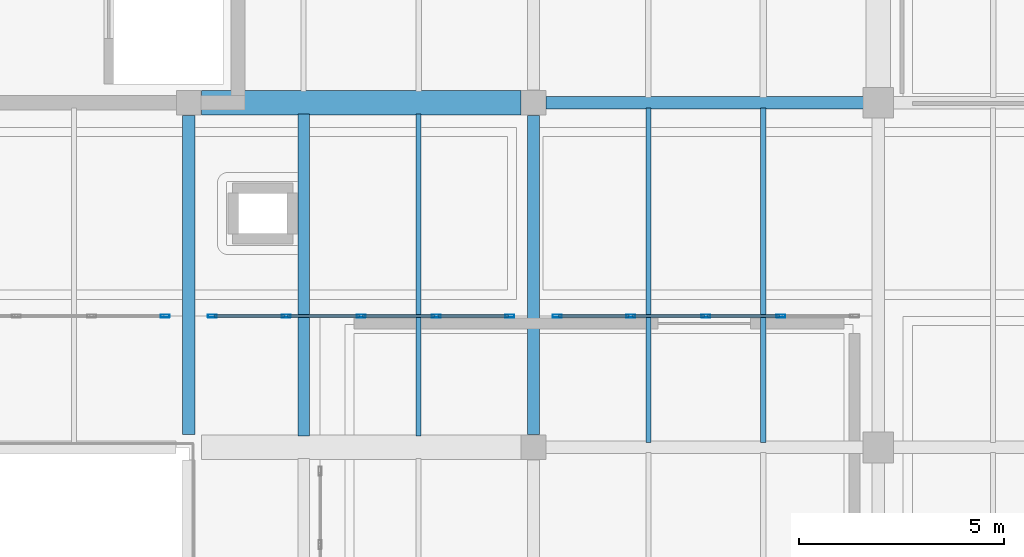
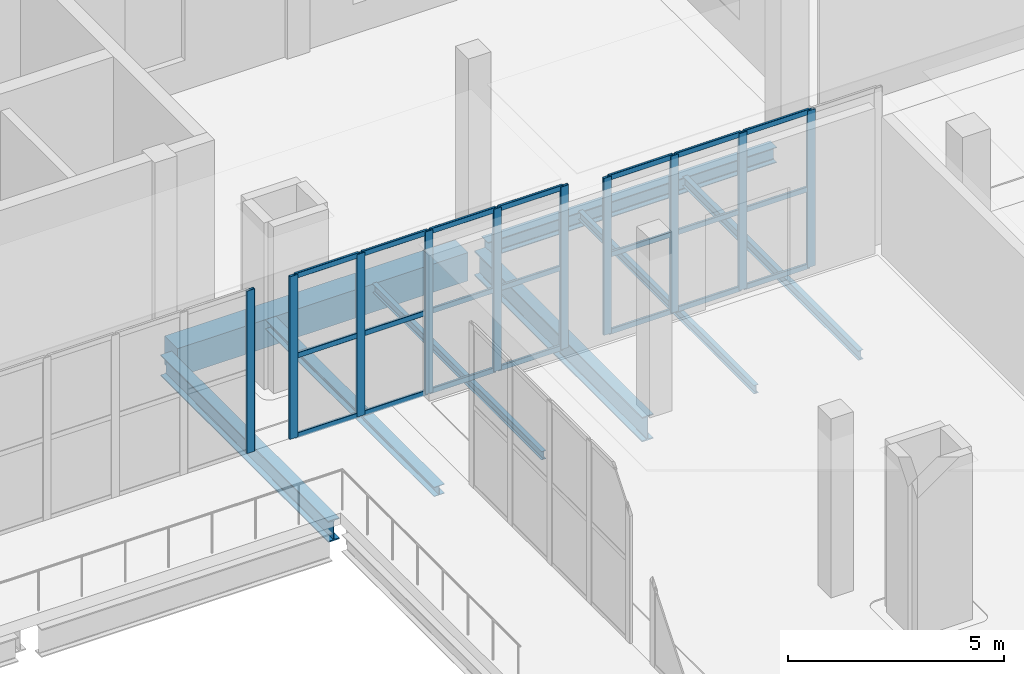
# One storey, part 34 of 77: 31 members, 8 beams, 3 elements without a shape of their own.
"""IFC4 building model written with IfcOpenShell, lengths in metres."""

from ifc_helpers import new_model, si_unit, direction, frame, origin, origin_2d, place, context, subcontext, project, spatial, rectangle, hollow_rectangle, i_section, extrude, material, layer, layer_set, material_profile, profile_set, type_object, element, aggregate, save


model = new_model("IFC4")

# Units and contexts
model_context = context("Model", 3, precision=1e-05, world=origin(), true_north=direction((0.0, 1.0)))
body_context = subcontext(model_context, "Body", "Model", "MODEL_VIEW")
ifc_project = project(units=[si_unit("LENGTHUNIT", "METRE"), si_unit("AREAUNIT", "SQUARE_METRE"), si_unit("VOLUMEUNIT", "CUBIC_METRE"), si_unit("PLANEANGLEUNIT", "RADIAN"), si_unit("MASSUNIT", "GRAM", prefix="KILO")], contexts=[model_context])

# Site, building, storey
site_placement = place(None, origin())
site = spatial("IfcSite", under=ifc_project, at=site_placement, CompositionType="ELEMENT")
building_placement = place(site_placement, origin())
building = spatial("IfcBuilding", under=site, at=building_placement, Name="Zulmaris Art Gallery", CompositionType="ELEMENT")
storey_placement = place(building_placement, frame((0.0, 0.0, 15.60009765625)))
storey = spatial("IfcBuildingStorey", under=building, at=storey_placement, Name="L03", CompositionType="ELEMENT", Elevation=15.60009765625)

# Beams
ifc_material_1 = material(Name="Steel S355J2", Category="steel")
ifc_material_profile_1 = material_profile(ifc_material_1, i_section(OverallWidth=0.300048828125, OverallDepth=0.43994140625, WebThickness=0.011474609375, FlangeThickness=0.02099609375, FilletRadius=0.027099609375, at=origin_2d()), Name="HEA 450")
ifc_profile_set_1 = profile_set([ifc_material_profile_1], Name="Steel S355J2")
beam_type_1 = type_object("IfcBeamType", Name="BEAM-BM10", PredefinedType="BEAM", material=ifc_profile_set_1)
beam_1_placement = place(storey_placement, frame((133.510009765625, 67.199951171875, -0.6201171875), z_axis=(1.0, 0.0, 0.0), x_axis=(0.0, 1.0, 0.0)))
element("IfcBeam", 1, at=beam_1_placement, inside=storey, type_object=beam_type_1, Name="L03 X-girder (133.2..141.6, y=67.2)", PredefinedType="BEAM", context=body_context, shape_type="SweptSolid", body=[
    extrude(i_section(OverallWidth=0.300048828125, OverallDepth=0.43994140625, WebThickness=0.011474609375, FlangeThickness=0.02099609375, FilletRadius=0.027099609375, at=origin_2d()), origin(), (0.0, 0.0, 1.0), 7.72998046875),
])
ifc_material_profile_2 = material_profile(ifc_material_1, i_section(OverallWidth=0.300048828125, OverallDepth=0.60009765625, WebThickness=0.015380859375, FlangeThickness=0.030029296875, FilletRadius=0.027099609375, at=origin_2d()), Name="HEB 600")
ifc_profile_set_2 = profile_set([ifc_material_profile_2], Name="Steel S355J2")
beam_type_2 = type_object("IfcBeamType", Name="BEAM-BM15", PredefinedType="BEAM", material=ifc_profile_set_2)
beam_2_placement = place(storey_placement, frame((124.800048828125, 59.110107421875, -0.670166015625), z_axis=(0.0, 1.0, 0.0), x_axis=(-1.0, 0.0, 0.0)))
element("IfcBeam", 2, at=beam_2_placement, inside=storey, type_object=beam_type_2, Name="L03 Y-girder (x=124.8, 58.8..67.2)", PredefinedType="BEAM", context=body_context, shape_type="SweptSolid", body=[
    extrude(i_section(OverallWidth=0.300048828125, OverallDepth=0.60009765625, WebThickness=0.015380859375, FlangeThickness=0.030029296875, FilletRadius=0.027099609375, at=origin_2d()), origin(), (0.0, 0.0, 1.0), 7.77978515625),
])
ifc_material_profile_3 = material_profile(ifc_material_1, i_section(OverallWidth=0.300048828125, OverallDepth=0.699951171875, WebThickness=0.01708984375, FlangeThickness=0.031982421875, FilletRadius=0.027099609375, at=origin_2d()), Name="HEB 700")
ifc_profile_set_3 = profile_set([ifc_material_profile_3], Name="Steel S355J2")
beam_type_3 = type_object("IfcBeamType", Name="BEAM-BM16", PredefinedType="BEAM", material=ifc_profile_set_3)
beam_3_placement = place(storey_placement, frame((133.199951171875, 59.110107421875, -0.72021484375), z_axis=(0.0, 1.0, 0.0), x_axis=(-1.0, 0.0, 0.0)))
element("IfcBeam", 3, at=beam_3_placement, inside=storey, type_object=beam_type_3, Name="L03 Y-girder (x=133.2, 58.8..67.2)", PredefinedType="BEAM", context=body_context, shape_type="SweptSolid", body=[
    extrude(i_section(OverallWidth=0.300048828125, OverallDepth=0.699951171875, WebThickness=0.01708984375, FlangeThickness=0.031982421875, FilletRadius=0.027099609375, at=origin_2d()), origin(), (0.0, 0.0, 1.0), 7.77978515625),
])
ifc_material_2 = material(Name="Concrete C40/50", Category="concrete")
ifc_material_profile_4 = material_profile(ifc_material_2, rectangle(XDim=0.60009765625, YDim=0.800048828125, at=origin_2d()), Name="RC 600x800")
ifc_profile_set_4 = profile_set([ifc_material_profile_4], Name="Concrete C40/50")
beam_type_4 = type_object("IfcBeamType", Name="BEAM-BM27", PredefinedType="BEAM", material=ifc_profile_set_4)
beam_4_placement = place(storey_placement, frame((125.110107421875, 67.199951171875, -0.77001953125), z_axis=(1.0, 0.0, 0.0), x_axis=(0.0, 1.0, 0.0)))
element("IfcBeam", 4, at=beam_4_placement, inside=storey, type_object=beam_type_4, Name="L03 X-girder (124.8..133.2, y=67.2)", PredefinedType="BEAM", context=body_context, shape_type="SweptSolid", body=[
    extrude(rectangle(XDim=0.60009765625, YDim=0.800048828125, at=origin_2d()), origin(), (0.0, 0.0, 1.0), 7.77978515625),
])
ifc_material_profile_5 = material_profile(ifc_material_1, i_section(OverallWidth=0.1201171875, OverallDepth=0.239990234375, WebThickness=0.006103515625, FlangeThickness=0.009765625, FilletRadius=0.014892578125, at=origin_2d()), Name="IPE 240")
ifc_profile_set_5 = profile_set([ifc_material_profile_5], Name="Steel S355J2")
beam_type_5 = type_object("IfcBeamType", Name="BEAM-JS01", PredefinedType="JOIST", material=ifc_profile_set_5)
beam_5_placement = place(storey_placement, frame((130.39990234375, 59.074951171875, -0.489990234375), z_axis=(0.0, 1.0, 0.0), x_axis=(-1.0, 0.0, 0.0)))
element("IfcBeam", 5, at=beam_5_placement, inside=storey, type_object=beam_type_5, Name="L03 secondary joist at x=130.4", PredefinedType="JOIST", context=body_context, shape_type="SweptSolid", body=[
    extrude(i_section(OverallWidth=0.1201171875, OverallDepth=0.239990234375, WebThickness=0.006103515625, FlangeThickness=0.009765625, FilletRadius=0.014892578125, at=origin_2d()), origin(), (0.0, 0.0, 1.0), 7.85009765625),
])
beam_6_placement = place(storey_placement, frame((136.0, 58.925048828125, -0.489990234375), z_axis=(0.0, 1.0, 0.0), x_axis=(-1.0, 0.0, 0.0)))
element("IfcBeam", 6, at=beam_6_placement, inside=storey, type_object=beam_type_5, Name="L03 secondary joist at x=136.0", PredefinedType="JOIST", context=body_context, shape_type="SweptSolid", body=[
    extrude(i_section(OverallWidth=0.1201171875, OverallDepth=0.239990234375, WebThickness=0.006103515625, FlangeThickness=0.009765625, FilletRadius=0.014892578125, at=origin_2d()), origin(), (0.0, 0.0, 1.0), 8.14990234375),
])
ifc_material_profile_6 = material_profile(ifc_material_1, i_section(OverallWidth=0.135009765625, OverallDepth=0.27001953125, WebThickness=0.006591796875, FlangeThickness=0.01025390625, FilletRadius=0.014892578125, at=origin_2d()), Name="IPE 270")
ifc_profile_set_6 = profile_set([ifc_material_profile_6], Name="Steel S355J2")
beam_type_6 = type_object("IfcBeamType", Name="BEAM-JS02", PredefinedType="JOIST", material=ifc_profile_set_6)
beam_7_placement = place(storey_placement, frame((138.800048828125, 58.925048828125, -0.505126953125), z_axis=(0.0, 1.0, 0.0), x_axis=(-1.0, 0.0, 0.0)))
element("IfcBeam", 7, at=beam_7_placement, inside=storey, type_object=beam_type_6, Name="L03 secondary joist at x=138.8", PredefinedType="JOIST", context=body_context, shape_type="SweptSolid", body=[
    extrude(i_section(OverallWidth=0.135009765625, OverallDepth=0.27001953125, WebThickness=0.006591796875, FlangeThickness=0.01025390625, FilletRadius=0.014892578125, at=origin_2d()), origin(), (0.0, 0.0, 1.0), 8.14990234375),
])
ifc_material_profile_7 = material_profile(ifc_material_1, i_section(OverallWidth=0.280029296875, OverallDepth=0.27001953125, WebThickness=0.008056640625, FlangeThickness=0.012939453125, FilletRadius=0.02392578125, at=origin_2d()), Name="HEA 280")
ifc_profile_set_7 = profile_set([ifc_material_profile_7], Name="Steel S355J2")
beam_type_7 = type_object("IfcBeamType", Name="BEAM-JS04", PredefinedType="JOIST", material=ifc_profile_set_7)
beam_8_placement = place(storey_placement, frame((127.60009765625, 59.074951171875, -0.505126953125), z_axis=(0.0, 1.0, 0.0), x_axis=(-1.0, 0.0, 0.0)))
element("IfcBeam", 8, at=beam_8_placement, inside=storey, type_object=beam_type_7, Name="L03 secondary joist at x=127.6", PredefinedType="JOIST", context=body_context, shape_type="SweptSolid", body=[
    extrude(i_section(OverallWidth=0.280029296875, OverallDepth=0.27001953125, WebThickness=0.008056640625, FlangeThickness=0.012939453125, FilletRadius=0.02392578125, at=origin_2d()), origin(), (0.0, 0.0, 1.0), 7.85009765625),
])

# Curtain wall, member
ifc_material_3 = material(Name="Unitised Low-E Gallery Curtain Wall", Category="aluminium")
ifc_layer = layer(ifc_material_3, 0.179931640625)
ifc_layer_set = layer_set([ifc_layer], Name="Unitised Low-E Gallery Curtain Wall")
curtain_wall_type = type_object("IfcCurtainWallType", Name="CW-CW01", PredefinedType="NOTDEFINED", material=ifc_layer_set)
curtain_wall_1_placement = place(storey_placement, origin())
curtain_wall_1 = element("IfcCurtainWall", 9, at=curtain_wall_1_placement, inside=storey, type_object=curtain_wall_type, Name="L03 curtain wall 116", PredefinedType="NOTDEFINED")
ifc_material_4 = material(Name="Anodised Bronze Aluminium", Category="aluminium")
ifc_material_profile_8 = material_profile(ifc_material_4, hollow_rectangle(XDim=0.074951171875, YDim=0.219970703125, WallThickness=0.0048828125, InnerFilletRadius=0.007568359375, OuterFilletRadius=0.012451171875, at=origin_2d()), Name="ALU 75x220x5")
ifc_profile_set_8 = profile_set([ifc_material_profile_8], Name="Anodised Bronze Aluminium")
member_type_1 = type_object("IfcMemberType", Name="CWMUL-02", PredefinedType="MULLION", material=ifc_profile_set_8)
member_1_placement = place(storey_placement, frame((124.222412109375, 62.0, 0.0), z_axis=(0.0, 0.0, 1.0), x_axis=(0.0, 1.0, 0.0)))
member_1 = element("IfcMember", 10, at=member_1_placement, type_object=member_type_1, Name="CW01 mullion 5", PredefinedType="MULLION", context=body_context, shape_type="SweptSolid", body=[
    extrude(hollow_rectangle(XDim=0.074951171875, YDim=0.219970703125, WallThickness=0.0048828125, InnerFilletRadius=0.007568359375, OuterFilletRadius=0.012451171875, at=origin_2d()), origin(), (0.0, 0.0, 1.0), 4.599853515625),
])
aggregate(curtain_wall_1, [member_1])

# Curtain wall, members
curtain_wall_2_placement = place(storey_placement, origin())
curtain_wall_2 = element("IfcCurtainWall", 11, at=curtain_wall_2_placement, inside=storey, type_object=curtain_wall_type, Name="L03 curtain wall 117", PredefinedType="NOTDEFINED")
member_2_placement = place(storey_placement, frame((125.37744140625, 62.0, 0.0), z_axis=(0.0, 0.0, 1.0), x_axis=(0.0, 1.0, 0.0)))
member_2 = element("IfcMember", 12, at=member_2_placement, type_object=member_type_1, Name="CW01 mullion 1", PredefinedType="MULLION", context=body_context, shape_type="SweptSolid", body=[
    extrude(hollow_rectangle(XDim=0.074951171875, YDim=0.219970703125, WallThickness=0.0048828125, InnerFilletRadius=0.007568359375, OuterFilletRadius=0.012451171875, at=origin_2d()), origin(), (0.0, 0.0, 1.0), 4.599853515625),
])
member_3_placement = place(storey_placement, frame((127.169921875, 62.0, 0.0), z_axis=(0.0, 0.0, 1.0), x_axis=(0.0, 1.0, 0.0)))
member_3 = element("IfcMember", 13, at=member_3_placement, type_object=member_type_1, Name="CW01 mullion 2", PredefinedType="MULLION", context=body_context, shape_type="SweptSolid", body=[
    extrude(hollow_rectangle(XDim=0.074951171875, YDim=0.219970703125, WallThickness=0.0048828125, InnerFilletRadius=0.007568359375, OuterFilletRadius=0.012451171875, at=origin_2d()), origin(), (0.0, 0.0, 1.0), 4.599853515625),
])
member_4_placement = place(storey_placement, frame((129.0, 62.0, 0.0), z_axis=(0.0, 0.0, 1.0), x_axis=(0.0, 1.0, 0.0)))
member_4 = element("IfcMember", 14, at=member_4_placement, type_object=member_type_1, Name="CW01 mullion 3", PredefinedType="MULLION", context=body_context, shape_type="SweptSolid", body=[
    extrude(hollow_rectangle(XDim=0.074951171875, YDim=0.219970703125, WallThickness=0.0048828125, InnerFilletRadius=0.007568359375, OuterFilletRadius=0.012451171875, at=origin_2d()), origin(), (0.0, 0.0, 1.0), 4.599853515625),
])
member_5_placement = place(storey_placement, frame((130.830078125, 62.0, 0.0), z_axis=(0.0, 0.0, 1.0), x_axis=(0.0, 1.0, 0.0)))
member_5 = element("IfcMember", 15, at=member_5_placement, type_object=member_type_1, Name="CW01 mullion 4", PredefinedType="MULLION", context=body_context, shape_type="SweptSolid", body=[
    extrude(hollow_rectangle(XDim=0.074951171875, YDim=0.219970703125, WallThickness=0.0048828125, InnerFilletRadius=0.007568359375, OuterFilletRadius=0.012451171875, at=origin_2d()), origin(), (0.0, 0.0, 1.0), 4.599853515625),
])
member_6_placement = place(storey_placement, frame((132.62255859375, 62.0, 0.0), z_axis=(0.0, 0.0, 1.0), x_axis=(0.0, 1.0, 0.0)))
member_6 = element("IfcMember", 16, at=member_6_placement, type_object=member_type_1, Name="CW01 mullion 5", PredefinedType="MULLION", context=body_context, shape_type="SweptSolid", body=[
    extrude(hollow_rectangle(XDim=0.074951171875, YDim=0.219970703125, WallThickness=0.0048828125, InnerFilletRadius=0.007568359375, OuterFilletRadius=0.012451171875, at=origin_2d()), origin(), (0.0, 0.0, 1.0), 4.599853515625),
])

curtain_wall_3_placement = place(storey_placement, origin())
curtain_wall_3 = element("IfcCurtainWall", 17, at=curtain_wall_3_placement, inside=storey, type_object=curtain_wall_type, Name="L03 curtain wall 118", PredefinedType="NOTDEFINED")
member_7_placement = place(storey_placement, frame((133.777587890625, 62.0, 0.0), z_axis=(0.0, 0.0, 1.0), x_axis=(0.0, 1.0, 0.0)))
member_7 = element("IfcMember", 18, at=member_7_placement, type_object=member_type_1, Name="CW01 mullion 1", PredefinedType="MULLION", context=body_context, shape_type="SweptSolid", body=[
    extrude(hollow_rectangle(XDim=0.074951171875, YDim=0.219970703125, WallThickness=0.0048828125, InnerFilletRadius=0.007568359375, OuterFilletRadius=0.012451171875, at=origin_2d()), origin(), (0.0, 0.0, 1.0), 4.43994140625),
])
member_8_placement = place(storey_placement, frame((135.570068359375, 62.0, 0.0), z_axis=(0.0, 0.0, 1.0), x_axis=(0.0, 1.0, 0.0)))
member_8 = element("IfcMember", 19, at=member_8_placement, type_object=member_type_1, Name="CW01 mullion 2", PredefinedType="MULLION", context=body_context, shape_type="SweptSolid", body=[
    extrude(hollow_rectangle(XDim=0.074951171875, YDim=0.219970703125, WallThickness=0.0048828125, InnerFilletRadius=0.007568359375, OuterFilletRadius=0.012451171875, at=origin_2d()), origin(), (0.0, 0.0, 1.0), 4.43994140625),
])
member_9_placement = place(storey_placement, frame((137.39990234375, 62.0, 0.0), z_axis=(0.0, 0.0, 1.0), x_axis=(0.0, 1.0, 0.0)))
member_9 = element("IfcMember", 20, at=member_9_placement, type_object=member_type_1, Name="CW01 mullion 3", PredefinedType="MULLION", context=body_context, shape_type="SweptSolid", body=[
    extrude(hollow_rectangle(XDim=0.074951171875, YDim=0.219970703125, WallThickness=0.0048828125, InnerFilletRadius=0.007568359375, OuterFilletRadius=0.012451171875, at=origin_2d()), origin(), (0.0, 0.0, 1.0), 4.43994140625),
])
member_10_placement = place(storey_placement, frame((139.22998046875, 62.0, 0.0), z_axis=(0.0, 0.0, 1.0), x_axis=(0.0, 1.0, 0.0)))
member_10 = element("IfcMember", 21, at=member_10_placement, type_object=member_type_1, Name="CW01 mullion 4", PredefinedType="MULLION", context=body_context, shape_type="SweptSolid", body=[
    extrude(hollow_rectangle(XDim=0.074951171875, YDim=0.219970703125, WallThickness=0.0048828125, InnerFilletRadius=0.007568359375, OuterFilletRadius=0.012451171875, at=origin_2d()), origin(), (0.0, 0.0, 1.0), 4.43994140625),
])

# Member
ifc_material_profile_9 = material_profile(ifc_material_4, hollow_rectangle(XDim=0.06494140625, YDim=0.14990234375, WallThickness=0.00390625, InnerFilletRadius=0.006103515625, OuterFilletRadius=0.010009765625, at=origin_2d()), Name="ALU 65x150x4")
ifc_profile_set_9 = profile_set([ifc_material_profile_9], Name="Anodised Bronze Aluminium")
member_type_2 = type_object("IfcMemberType", Name="CWTRN-01", PredefinedType="USERDEFINED", material=ifc_profile_set_9)
member_11_placement = place(storey_placement, frame((125.4150390625, 62.0, 0.037353515625), z_axis=(1.0, 0.0, 0.0), x_axis=(0.0, 1.0, 0.0)))
member_11 = element("IfcMember", 22, at=member_11_placement, type_object=member_type_2, Name="CW01 transom 1.1", ObjectType="TRANSOM", PredefinedType="USERDEFINED", context=body_context, shape_type="SweptSolid", body=[
    extrude(hollow_rectangle(XDim=0.06494140625, YDim=0.14990234375, WallThickness=0.00390625, InnerFilletRadius=0.006103515625, OuterFilletRadius=0.010009765625, at=origin_2d()), origin(), (0.0, 0.0, 1.0), 1.717529296875),
])

member_12_placement = place(storey_placement, frame((125.4150390625, 62.0, 2.2998046875), z_axis=(1.0, 0.0, 0.0), x_axis=(0.0, 1.0, 0.0)))
member_12 = element("IfcMember", 23, at=member_12_placement, type_object=member_type_2, Name="CW01 transom 1.2", ObjectType="TRANSOM", PredefinedType="USERDEFINED", context=body_context, shape_type="SweptSolid", body=[
    extrude(hollow_rectangle(XDim=0.06494140625, YDim=0.14990234375, WallThickness=0.00390625, InnerFilletRadius=0.006103515625, OuterFilletRadius=0.010009765625, at=origin_2d()), origin(), (0.0, 0.0, 1.0), 1.717529296875),
])

member_13_placement = place(storey_placement, frame((125.4150390625, 62.0, 4.5625), z_axis=(1.0, 0.0, 0.0), x_axis=(0.0, 1.0, 0.0)))
member_13 = element("IfcMember", 24, at=member_13_placement, type_object=member_type_2, Name="CW01 transom 1.3", ObjectType="TRANSOM", PredefinedType="USERDEFINED", context=body_context, shape_type="SweptSolid", body=[
    extrude(hollow_rectangle(XDim=0.06494140625, YDim=0.14990234375, WallThickness=0.00390625, InnerFilletRadius=0.006103515625, OuterFilletRadius=0.010009765625, at=origin_2d()), origin(), (0.0, 0.0, 1.0), 1.717529296875),
])

member_14_placement = place(storey_placement, frame((127.20751953125, 62.0, 0.037353515625), z_axis=(1.0, 0.0, 0.0), x_axis=(0.0, 1.0, 0.0)))
member_14 = element("IfcMember", 25, at=member_14_placement, type_object=member_type_2, Name="CW01 transom 2.1", ObjectType="TRANSOM", PredefinedType="USERDEFINED", context=body_context, shape_type="SweptSolid", body=[
    extrude(hollow_rectangle(XDim=0.06494140625, YDim=0.14990234375, WallThickness=0.00390625, InnerFilletRadius=0.006103515625, OuterFilletRadius=0.010009765625, at=origin_2d()), origin(), (0.0, 0.0, 1.0), 1.7548828125),
])

member_15_placement = place(storey_placement, frame((127.20751953125, 62.0, 2.2998046875), z_axis=(1.0, 0.0, 0.0), x_axis=(0.0, 1.0, 0.0)))
member_15 = element("IfcMember", 26, at=member_15_placement, type_object=member_type_2, Name="CW01 transom 2.2", ObjectType="TRANSOM", PredefinedType="USERDEFINED", context=body_context, shape_type="SweptSolid", body=[
    extrude(hollow_rectangle(XDim=0.06494140625, YDim=0.14990234375, WallThickness=0.00390625, InnerFilletRadius=0.006103515625, OuterFilletRadius=0.010009765625, at=origin_2d()), origin(), (0.0, 0.0, 1.0), 1.7548828125),
])

member_16_placement = place(storey_placement, frame((127.20751953125, 62.0, 4.5625), z_axis=(1.0, 0.0, 0.0), x_axis=(0.0, 1.0, 0.0)))
member_16 = element("IfcMember", 27, at=member_16_placement, type_object=member_type_2, Name="CW01 transom 2.3", ObjectType="TRANSOM", PredefinedType="USERDEFINED", context=body_context, shape_type="SweptSolid", body=[
    extrude(hollow_rectangle(XDim=0.06494140625, YDim=0.14990234375, WallThickness=0.00390625, InnerFilletRadius=0.006103515625, OuterFilletRadius=0.010009765625, at=origin_2d()), origin(), (0.0, 0.0, 1.0), 1.7548828125),
])

member_17_placement = place(storey_placement, frame((129.03759765625, 62.0, 0.037353515625), z_axis=(1.0, 0.0, 0.0), x_axis=(0.0, 1.0, 0.0)))
member_17 = element("IfcMember", 28, at=member_17_placement, type_object=member_type_2, Name="CW01 transom 3.1", ObjectType="TRANSOM", PredefinedType="USERDEFINED", context=body_context, shape_type="SweptSolid", body=[
    extrude(hollow_rectangle(XDim=0.06494140625, YDim=0.14990234375, WallThickness=0.00390625, InnerFilletRadius=0.006103515625, OuterFilletRadius=0.010009765625, at=origin_2d()), origin(), (0.0, 0.0, 1.0), 1.7548828125),
])

member_18_placement = place(storey_placement, frame((129.03759765625, 62.0, 2.2998046875), z_axis=(1.0, 0.0, 0.0), x_axis=(0.0, 1.0, 0.0)))
member_18 = element("IfcMember", 29, at=member_18_placement, type_object=member_type_2, Name="CW01 transom 3.2", ObjectType="TRANSOM", PredefinedType="USERDEFINED", context=body_context, shape_type="SweptSolid", body=[
    extrude(hollow_rectangle(XDim=0.06494140625, YDim=0.14990234375, WallThickness=0.00390625, InnerFilletRadius=0.006103515625, OuterFilletRadius=0.010009765625, at=origin_2d()), origin(), (0.0, 0.0, 1.0), 1.7548828125),
])

member_19_placement = place(storey_placement, frame((129.03759765625, 62.0, 4.5625), z_axis=(1.0, 0.0, 0.0), x_axis=(0.0, 1.0, 0.0)))
member_19 = element("IfcMember", 30, at=member_19_placement, type_object=member_type_2, Name="CW01 transom 3.3", ObjectType="TRANSOM", PredefinedType="USERDEFINED", context=body_context, shape_type="SweptSolid", body=[
    extrude(hollow_rectangle(XDim=0.06494140625, YDim=0.14990234375, WallThickness=0.00390625, InnerFilletRadius=0.006103515625, OuterFilletRadius=0.010009765625, at=origin_2d()), origin(), (0.0, 0.0, 1.0), 1.7548828125),
])

member_20_placement = place(storey_placement, frame((130.867431640625, 62.0, 0.037353515625), z_axis=(1.0, 0.0, 0.0), x_axis=(0.0, 1.0, 0.0)))
member_20 = element("IfcMember", 31, at=member_20_placement, type_object=member_type_2, Name="CW01 transom 4.1", ObjectType="TRANSOM", PredefinedType="USERDEFINED", context=body_context, shape_type="SweptSolid", body=[
    extrude(hollow_rectangle(XDim=0.06494140625, YDim=0.14990234375, WallThickness=0.00390625, InnerFilletRadius=0.006103515625, OuterFilletRadius=0.010009765625, at=origin_2d()), origin(), (0.0, 0.0, 1.0), 1.717529296875),
])

member_21_placement = place(storey_placement, frame((130.867431640625, 62.0, 2.2998046875), z_axis=(1.0, 0.0, 0.0), x_axis=(0.0, 1.0, 0.0)))
member_21 = element("IfcMember", 32, at=member_21_placement, type_object=member_type_2, Name="CW01 transom 4.2", ObjectType="TRANSOM", PredefinedType="USERDEFINED", context=body_context, shape_type="SweptSolid", body=[
    extrude(hollow_rectangle(XDim=0.06494140625, YDim=0.14990234375, WallThickness=0.00390625, InnerFilletRadius=0.006103515625, OuterFilletRadius=0.010009765625, at=origin_2d()), origin(), (0.0, 0.0, 1.0), 1.717529296875),
])

member_22_placement = place(storey_placement, frame((130.867431640625, 62.0, 4.5625), z_axis=(1.0, 0.0, 0.0), x_axis=(0.0, 1.0, 0.0)))
member_22 = element("IfcMember", 33, at=member_22_placement, type_object=member_type_2, Name="CW01 transom 4.3", ObjectType="TRANSOM", PredefinedType="USERDEFINED", context=body_context, shape_type="SweptSolid", body=[
    extrude(hollow_rectangle(XDim=0.06494140625, YDim=0.14990234375, WallThickness=0.00390625, InnerFilletRadius=0.006103515625, OuterFilletRadius=0.010009765625, at=origin_2d()), origin(), (0.0, 0.0, 1.0), 1.717529296875),
])

aggregate(curtain_wall_2, [member_2, member_3, member_4, member_5, member_6, member_11, member_12, member_13, member_14, member_15, member_16, member_17, member_18, member_19, member_20, member_21, member_22])

member_23_placement = place(storey_placement, frame((133.81494140625, 62.0, 0.037353515625), z_axis=(1.0, 0.0, 0.0), x_axis=(0.0, 1.0, 0.0)))
member_23 = element("IfcMember", 34, at=member_23_placement, type_object=member_type_2, Name="CW01 transom 1.1", ObjectType="TRANSOM", PredefinedType="USERDEFINED", context=body_context, shape_type="SweptSolid", body=[
    extrude(hollow_rectangle(XDim=0.06494140625, YDim=0.14990234375, WallThickness=0.00390625, InnerFilletRadius=0.006103515625, OuterFilletRadius=0.010009765625, at=origin_2d()), origin(), (0.0, 0.0, 1.0), 1.717529296875),
])

member_24_placement = place(storey_placement, frame((133.81494140625, 62.0, 2.219970703125), z_axis=(1.0, 0.0, 0.0), x_axis=(0.0, 1.0, 0.0)))
member_24 = element("IfcMember", 35, at=member_24_placement, type_object=member_type_2, Name="CW01 transom 1.2", ObjectType="TRANSOM", PredefinedType="USERDEFINED", context=body_context, shape_type="SweptSolid", body=[
    extrude(hollow_rectangle(XDim=0.06494140625, YDim=0.14990234375, WallThickness=0.00390625, InnerFilletRadius=0.006103515625, OuterFilletRadius=0.010009765625, at=origin_2d()), origin(), (0.0, 0.0, 1.0), 1.717529296875),
])

member_25_placement = place(storey_placement, frame((133.81494140625, 62.0, 4.40234375), z_axis=(1.0, 0.0, 0.0), x_axis=(0.0, 1.0, 0.0)))
member_25 = element("IfcMember", 36, at=member_25_placement, type_object=member_type_2, Name="CW01 transom 1.3", ObjectType="TRANSOM", PredefinedType="USERDEFINED", context=body_context, shape_type="SweptSolid", body=[
    extrude(hollow_rectangle(XDim=0.06494140625, YDim=0.14990234375, WallThickness=0.00390625, InnerFilletRadius=0.006103515625, OuterFilletRadius=0.010009765625, at=origin_2d()), origin(), (0.0, 0.0, 1.0), 1.717529296875),
])

member_26_placement = place(storey_placement, frame((135.607421875, 62.0, 0.037353515625), z_axis=(1.0, 0.0, 0.0), x_axis=(0.0, 1.0, 0.0)))
member_26 = element("IfcMember", 37, at=member_26_placement, type_object=member_type_2, Name="CW01 transom 2.1", ObjectType="TRANSOM", PredefinedType="USERDEFINED", context=body_context, shape_type="SweptSolid", body=[
    extrude(hollow_rectangle(XDim=0.06494140625, YDim=0.14990234375, WallThickness=0.00390625, InnerFilletRadius=0.006103515625, OuterFilletRadius=0.010009765625, at=origin_2d()), origin(), (0.0, 0.0, 1.0), 1.755126953125),
])

member_27_placement = place(storey_placement, frame((135.607421875, 62.0, 2.219970703125), z_axis=(1.0, 0.0, 0.0), x_axis=(0.0, 1.0, 0.0)))
member_27 = element("IfcMember", 38, at=member_27_placement, type_object=member_type_2, Name="CW01 transom 2.2", ObjectType="TRANSOM", PredefinedType="USERDEFINED", context=body_context, shape_type="SweptSolid", body=[
    extrude(hollow_rectangle(XDim=0.06494140625, YDim=0.14990234375, WallThickness=0.00390625, InnerFilletRadius=0.006103515625, OuterFilletRadius=0.010009765625, at=origin_2d()), origin(), (0.0, 0.0, 1.0), 1.755126953125),
])

member_28_placement = place(storey_placement, frame((135.607421875, 62.0, 4.40234375), z_axis=(1.0, 0.0, 0.0), x_axis=(0.0, 1.0, 0.0)))
member_28 = element("IfcMember", 39, at=member_28_placement, type_object=member_type_2, Name="CW01 transom 2.3", ObjectType="TRANSOM", PredefinedType="USERDEFINED", context=body_context, shape_type="SweptSolid", body=[
    extrude(hollow_rectangle(XDim=0.06494140625, YDim=0.14990234375, WallThickness=0.00390625, InnerFilletRadius=0.006103515625, OuterFilletRadius=0.010009765625, at=origin_2d()), origin(), (0.0, 0.0, 1.0), 1.755126953125),
])

member_29_placement = place(storey_placement, frame((137.4375, 62.0, 0.037353515625), z_axis=(1.0, 0.0, 0.0), x_axis=(0.0, 1.0, 0.0)))
member_29 = element("IfcMember", 40, at=member_29_placement, type_object=member_type_2, Name="CW01 transom 3.1", ObjectType="TRANSOM", PredefinedType="USERDEFINED", context=body_context, shape_type="SweptSolid", body=[
    extrude(hollow_rectangle(XDim=0.06494140625, YDim=0.14990234375, WallThickness=0.00390625, InnerFilletRadius=0.006103515625, OuterFilletRadius=0.010009765625, at=origin_2d()), origin(), (0.0, 0.0, 1.0), 1.7548828125),
])

member_30_placement = place(storey_placement, frame((137.4375, 62.0, 2.219970703125), z_axis=(1.0, 0.0, 0.0), x_axis=(0.0, 1.0, 0.0)))
member_30 = element("IfcMember", 41, at=member_30_placement, type_object=member_type_2, Name="CW01 transom 3.2", ObjectType="TRANSOM", PredefinedType="USERDEFINED", context=body_context, shape_type="SweptSolid", body=[
    extrude(hollow_rectangle(XDim=0.06494140625, YDim=0.14990234375, WallThickness=0.00390625, InnerFilletRadius=0.006103515625, OuterFilletRadius=0.010009765625, at=origin_2d()), origin(), (0.0, 0.0, 1.0), 1.7548828125),
])

member_31_placement = place(storey_placement, frame((137.4375, 62.0, 4.40234375), z_axis=(1.0, 0.0, 0.0), x_axis=(0.0, 1.0, 0.0)))
member_31 = element("IfcMember", 42, at=member_31_placement, type_object=member_type_2, Name="CW01 transom 3.3", ObjectType="TRANSOM", PredefinedType="USERDEFINED", context=body_context, shape_type="SweptSolid", body=[
    extrude(hollow_rectangle(XDim=0.06494140625, YDim=0.14990234375, WallThickness=0.00390625, InnerFilletRadius=0.006103515625, OuterFilletRadius=0.010009765625, at=origin_2d()), origin(), (0.0, 0.0, 1.0), 1.7548828125),
])

aggregate(curtain_wall_3, [member_7, member_8, member_9, member_10, member_23, member_24, member_25, member_26, member_27, member_28, member_29, member_30, member_31])

save(model, "model.ifc")
